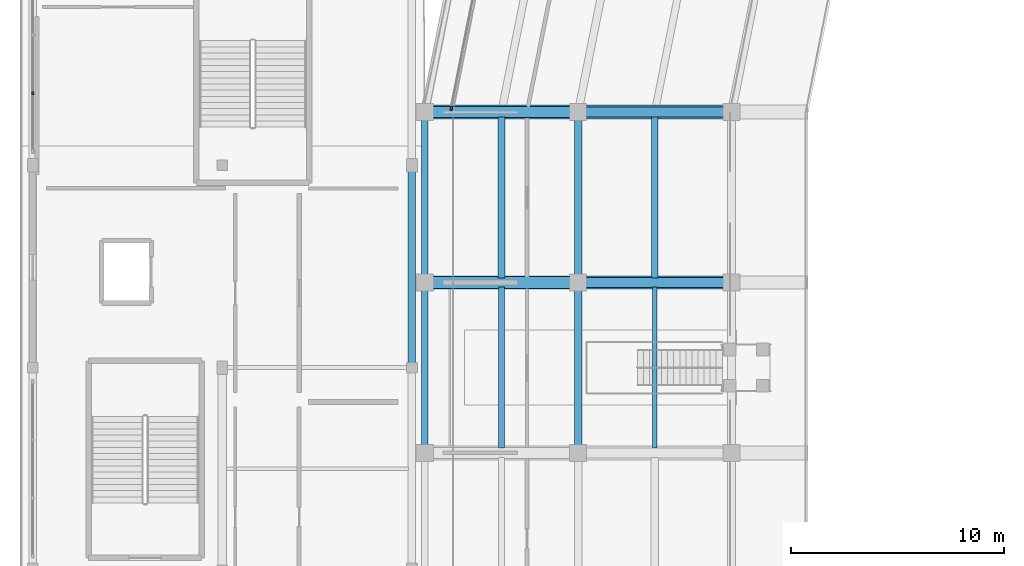
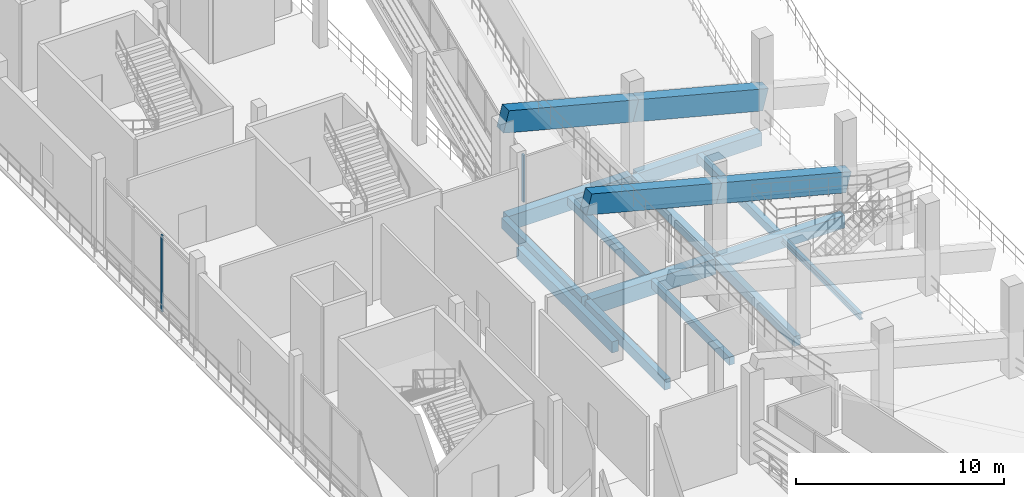
# One storey, part 20 of 96: 17 beams, 2 members, 2 elements without a shape of their own.
"""IFC4 building model written with IfcOpenShell, lengths in metres."""

from ifc_helpers import new_model, si_unit, direction, frame, origin, origin_2d, place, context, subcontext, project, spatial, rectangle, i_section, extrude, material, material_profile, profile_set, type_object, element, aggregate, save


model = new_model("IFC4")

# Units and contexts
model_context = context("Model", 3, precision=1e-05, world=origin(), true_north=direction((0.0, 1.0)))
body_context = subcontext(model_context, "Body", "Model", "MODEL_VIEW")
ifc_project = project(units=[si_unit("LENGTHUNIT", "METRE"), si_unit("AREAUNIT", "SQUARE_METRE"), si_unit("VOLUMEUNIT", "CUBIC_METRE"), si_unit("PLANEANGLEUNIT", "RADIAN"), si_unit("MASSUNIT", "GRAM", prefix="KILO")], contexts=[model_context])

# Site, building, storey
site_placement = place(None, origin())
site = spatial("IfcSite", under=ifc_project, at=site_placement, CompositionType="ELEMENT")
building_placement = place(site_placement, origin())
building = spatial("IfcBuilding", under=site, at=building_placement, Name="Candeia Ridge Stadium", CompositionType="ELEMENT")
storey_placement = place(building_placement, frame((0.0, 0.0, 21.60009765625)))
storey = spatial("IfcBuildingStorey", under=building, at=storey_placement, Name="L04", CompositionType="ELEMENT", Elevation=21.60009765625)

# Beams
ifc_material_1 = material(Name="Concrete C45/55", Category="concrete")
ifc_material_profile_1 = material_profile(ifc_material_1, rectangle(XDim=0.449951171875, YDim=0.75, at=origin_2d()), Name="RC450x750", Category="concrete")
ifc_profile_set_1 = profile_set([ifc_material_profile_1], Name="Concrete C45/55")
beam_type_1 = type_object("IfcBeamType", Name="Bowl Radial Girder RC450x750", PredefinedType="BEAM", material=ifc_profile_set_1)
beam_1_placement = place(storey_placement, frame((33.239990234375, 87.0, -0.635009765625), z_axis=(-1.0, 0.0, 0.0), x_axis=(0.0, -1.0, 0.0)))
element("IfcBeam", 1, at=beam_1_placement, inside=storey, type_object=beam_type_1, Name="Bowl radial girder BM-L04-0745", PredefinedType="BEAM", context=body_context, shape_type="SweptSolid", body=[
    extrude(rectangle(XDim=0.449951171875, YDim=0.75, at=origin_2d()), origin(), (0.0, 0.0, 1.0), 6.8798828125),
])
ifc_material_2 = material(Name="Steel ASTM A572 Grade 50", Category="steel")
ifc_material_profile_2 = material_profile(ifc_material_2, i_section(OverallWidth=0.205078125, OverallDepth=0.35400390625, WebThickness=0.009521484375, FlangeThickness=0.016845703125, FilletRadius=0.014892578125, at=origin_2d()), Name="W360x79", Category="steel")
ifc_profile_set_2 = profile_set([ifc_material_profile_2], Name="Steel ASTM A572 Grade 50")
beam_type_2 = type_object("IfcBeamType", Name="Concourse Secondary Joist W360x79", PredefinedType="JOIST", material=ifc_profile_set_2)
beam_2_placement = place(storey_placement, frame((29.800048828125, 86.778076171875, -0.43701171875), z_axis=(0.0, -1.0, 0.0), x_axis=(1.0, 0.0, 0.0)))
element("IfcBeam", 2, at=beam_2_placement, inside=storey, type_object=beam_type_2, Name="Concourse secondary joist BM-L04-0851", PredefinedType="JOIST", context=body_context, shape_type="SweptSolid", body=[
    extrude(i_section(OverallWidth=0.205078125, OverallDepth=0.35400390625, WebThickness=0.009521484375, FlangeThickness=0.016845703125, FilletRadius=0.014892578125, at=origin_2d()), origin(), (0.0, 0.0, 1.0), 7.55615234375),
])

# Curtain wall, member
ifc_material_3 = material(Name="Aluminium Anodized Warm Bronze", Category="aluminium")
curtain_wall_type_1 = type_object("IfcCurtainWallType", Name="Concourse Recessed Unitised Curtain Wall", PredefinedType="NOTDEFINED", material=ifc_material_3)
curtain_wall_1_placement = place(storey_placement, origin())
curtain_wall_1 = element("IfcCurtainWall", 3, at=curtain_wall_1_placement, inside=storey, type_object=curtain_wall_type_1, Name="Unitised curtain wall CW-BWL-L04-10", PredefinedType="NOTDEFINED")
ifc_material_profile_3 = material_profile(ifc_material_3, rectangle(XDim=0.090087890625, YDim=0.179931640625, at=origin_2d()), Name="CWM-90x180", Category="aluminium")
ifc_profile_set_3 = profile_set([ifc_material_profile_3], Name="Aluminium Anodized Warm Bronze")
member_type_1 = type_object("IfcMemberType", Name="Curtain Wall Primary Mullion 90x180", PredefinedType="MULLION", material=ifc_profile_set_3)
member_1_placement = place(storey_placement, frame((20.235107421875, 95.176513671875, 0.0), z_axis=(0.0, 0.0, 1.0), x_axis=(1.0, 0.0, 0.0)))
member_1 = element("IfcMember", 4, at=member_1_placement, type_object=member_type_1, Name="Curtain wall mullion CW-BWL-L04-10-M7", PredefinedType="MULLION", context=body_context, shape_type="SweptSolid", body=[
    extrude(rectangle(XDim=0.090087890625, YDim=0.179931640625, at=origin_2d()), origin(), (0.0, 0.0, 1.0), 2.772216796875),
])
aggregate(curtain_wall_1, [member_1])

curtain_wall_type_2 = type_object("IfcCurtainWallType", Name="West Pavilion Hospitality Curtain Wall", PredefinedType="NOTDEFINED", material=ifc_material_3)
curtain_wall_2_placement = place(storey_placement, origin())
curtain_wall_2 = element("IfcCurtainWall", 5, at=curtain_wall_2_placement, inside=storey, type_object=curtain_wall_type_2, Name="Unitised curtain wall CW-WNG-L04-096", PredefinedType="NOTDEFINED")
ifc_material_profile_4 = material_profile(ifc_material_3, rectangle(XDim=0.074951171875, YDim=0.14990234375, at=origin_2d()), Name="CWM-75x150", Category="aluminium")
ifc_profile_set_4 = profile_set([ifc_material_profile_4], Name="Aluminium Anodized Warm Bronze")
member_type_2 = type_object("IfcMemberType", Name="Curtain Wall Secondary Mullion 75x150", PredefinedType="MULLION", material=ifc_profile_set_4)
member_2_placement = place(storey_placement, frame((0.60009765625, 95.88671875, 0.0), z_axis=(0.0, 0.0, 1.0), x_axis=(1.0, 0.0, 0.0)))
member_2 = element("IfcMember", 6, at=member_2_placement, type_object=member_type_2, Name="Curtain wall mullion CW-WNG-L04-096-M1", PredefinedType="MULLION", context=body_context, shape_type="SweptSolid", body=[
    extrude(rectangle(XDim=0.074951171875, YDim=0.14990234375, at=origin_2d()), origin(), (0.0, 0.0, 1.0), 4.48486328125),
])
aggregate(curtain_wall_2, [member_2])

# Beams
ifc_material_4 = material(Name="Concrete C40/50", Category="concrete")
ifc_material_profile_5 = material_profile(ifc_material_4, rectangle(XDim=0.280029296875, YDim=0.4599609375, at=origin_2d()), Name="RC280x460", Category="concrete")
ifc_profile_set_5 = profile_set([ifc_material_profile_5], Name="Concrete C40/50")
beam_type_3 = type_object("IfcBeamType", Name="Floor Joist RC280x460", PredefinedType="JOIST", material=ifc_profile_set_5)
beam_3_placement = place(storey_placement, frame((22.60009765625, 86.778076171875, -0.489990234375), z_axis=(0.0, -1.0, 0.0), x_axis=(1.0, 0.0, 0.0)))
element("IfcBeam", 7, at=beam_3_placement, inside=storey, type_object=beam_type_3, Name="Concourse secondary joist BM-L04-0852", PredefinedType="JOIST", context=body_context, shape_type="SweptSolid", body=[
    extrude(rectangle(XDim=0.280029296875, YDim=0.4599609375, at=origin_2d()), origin(), (0.0, 0.0, 1.0), 7.55615234375),
])
ifc_material_profile_6 = material_profile(ifc_material_4, rectangle(XDim=0.31005859375, YDim=0.489990234375, at=origin_2d()), Name="RC310x490", Category="concrete")
ifc_profile_set_6 = profile_set([ifc_material_profile_6], Name="Concrete C40/50")
beam_type_4 = type_object("IfcBeamType", Name="Floor Joist RC310x490", PredefinedType="JOIST", material=ifc_profile_set_6)
beam_4_placement = place(storey_placement, frame((29.800048828125, 94.778076171875, -0.505126953125), z_axis=(0.0, -1.0, 0.0), x_axis=(1.0, 0.0, 0.0)))
element("IfcBeam", 8, at=beam_4_placement, inside=storey, type_object=beam_type_4, Name="Concourse secondary joist BM-L04-0846", PredefinedType="JOIST", context=body_context, shape_type="SweptSolid", body=[
    extrude(rectangle(XDim=0.31005859375, YDim=0.489990234375, at=origin_2d()), origin(), (0.0, 0.0, 1.0), 7.55615234375),
])
ifc_material_profile_7 = material_profile(ifc_material_4, rectangle(XDim=0.320068359375, YDim=0.47998046875, at=origin_2d()), Name="RC320x480", Category="concrete")
ifc_profile_set_7 = profile_set([ifc_material_profile_7], Name="Concrete C40/50")
beam_type_5 = type_object("IfcBeamType", Name="Floor Joist RC320x480", PredefinedType="JOIST", material=ifc_profile_set_7)
beam_5_placement = place(storey_placement, frame((22.60009765625, 94.778076171875, -0.5), z_axis=(0.0, -1.0, 0.0), x_axis=(1.0, 0.0, 0.0)))
element("IfcBeam", 9, at=beam_5_placement, inside=storey, type_object=beam_type_5, Name="Concourse secondary joist BM-L04-0847", PredefinedType="JOIST", context=body_context, shape_type="SweptSolid", body=[
    extrude(rectangle(XDim=0.320068359375, YDim=0.47998046875, at=origin_2d()), origin(), (0.0, 0.0, 1.0), 7.55615234375),
])
ifc_material_profile_8 = material_profile(ifc_material_4, rectangle(XDim=0.360107421875, YDim=0.580078125, at=origin_2d()), Name="RC360x580", Category="concrete")
ifc_profile_set_8 = profile_set([ifc_material_profile_8], Name="Concrete C40/50")
beam_type_6 = type_object("IfcBeamType", Name="Frame Girder RC360x580", PredefinedType="BEAM", material=ifc_profile_set_8)
for number, where, z_axis, x_axis, name in (
    (10, (26.199951171875, 94.840087890625, -0.550048828125), (0.0, -1.0, 0.0), (1.0, 0.0, 0.0), "Concourse spine girder BM-L04-0844"),
    (11, (26.199951171875, 86.840087890625, -0.550048828125), (0.0, -1.0, 0.0), (1.0, 0.0, 0.0), "Concourse spine girder BM-L04-0849"),
):
    element("IfcBeam", number, at=place(storey_placement, frame(where, z_axis=z_axis, x_axis=x_axis)), inside=storey, type_object=beam_type_6, Name=name, PredefinedType="BEAM", context=body_context, shape_type="SweptSolid", body=[
        extrude(rectangle(XDim=0.360107421875, YDim=0.580078125, at=origin_2d()), origin(), (0.0, 0.0, 1.0), 7.68017578125),
    ])
ifc_material_profile_9 = material_profile(ifc_material_4, rectangle(XDim=0.4599609375, YDim=0.780029296875, at=origin_2d()), Name="RC460x780", Category="concrete")
ifc_profile_set_9 = profile_set([ifc_material_profile_9], Name="Concrete C40/50")
beam_type_7 = type_object("IfcBeamType", Name="Frame Girder RC460x780", PredefinedType="BEAM", material=ifc_profile_set_9)
beam_6_placement = place(storey_placement, frame((33.239990234375, 95.0, -0.650146484375), z_axis=(-1.0, 0.0, 0.0), x_axis=(0.0, -1.0, 0.0)))
element("IfcBeam", 12, at=beam_6_placement, inside=storey, type_object=beam_type_7, Name="Bowl radial girder BM-L04-0743", PredefinedType="BEAM", context=body_context, shape_type="SweptSolid", body=[
    extrude(rectangle(XDim=0.4599609375, YDim=0.780029296875, at=origin_2d()), origin(), (0.0, 0.0, 1.0), 6.8798828125),
])
ifc_material_profile_10 = material_profile(ifc_material_1, rectangle(XDim=0.5, YDim=0.85009765625, at=origin_2d()), Name="RC500x850", Category="concrete")
ifc_profile_set_10 = profile_set([ifc_material_profile_10], Name="Concrete C45/55")
beam_type_8 = type_object("IfcBeamType", Name="Frame Girder RC500x850", PredefinedType="BEAM", material=ifc_profile_set_10)
beam_7_placement = place(storey_placement, frame((26.0400390625, 95.0, -0.68505859375), z_axis=(-1.0, 0.0, 0.0), x_axis=(0.0, -1.0, 0.0)))
element("IfcBeam", 13, at=beam_7_placement, inside=storey, type_object=beam_type_8, Name="Bowl radial girder BM-L04-0744", PredefinedType="BEAM", context=body_context, shape_type="SweptSolid", body=[
    extrude(rectangle(XDim=0.5, YDim=0.85009765625, at=origin_2d()), origin(), (0.0, 0.0, 1.0), 6.880126953125),
])
ifc_material_profile_11 = material_profile(ifc_material_1, rectangle(XDim=0.550048828125, YDim=0.919921875, at=origin_2d()), Name="RC550x920", Category="concrete")
ifc_profile_set_11 = profile_set([ifc_material_profile_11], Name="Concrete C45/55")
beam_type_9 = type_object("IfcBeamType", Name="Frame Girder RC550x920", PredefinedType="BEAM", material=ifc_profile_set_11)
beam_8_placement = place(storey_placement, frame((26.0400390625, 87.0, -0.72021484375), z_axis=(-1.0, 0.0, 0.0), x_axis=(0.0, -1.0, 0.0)))
element("IfcBeam", 14, at=beam_8_placement, inside=storey, type_object=beam_type_9, Name="Bowl radial girder BM-L04-0746", PredefinedType="BEAM", context=body_context, shape_type="SweptSolid", body=[
    extrude(rectangle(XDim=0.550048828125, YDim=0.919921875, at=origin_2d()), origin(), (0.0, 0.0, 1.0), 6.880126953125),
])
ifc_material_profile_12 = material_profile(ifc_material_4, rectangle(XDim=0.320068359375, YDim=0.6201171875, at=origin_2d()), Name="RC320x620", Category="concrete")
ifc_profile_set_12 = profile_set([ifc_material_profile_12], Name="Concrete C40/50")
beam_type_10 = type_object("IfcBeamType", Name="Spandrel Beam RC320x620", PredefinedType="SPANDREL", material=ifc_profile_set_12)
for number, where, z_axis, x_axis, name in (
    (15, (19.0, 94.840087890625, -0.570068359375), (0.0, -1.0, 0.0), (1.0, 0.0, 0.0), "Bowl perimeter spandrel BM-L04-0845"),
    (16, (19.0, 86.840087890625, -0.570068359375), (0.0, -1.0, 0.0), (1.0, 0.0, 0.0), "Bowl perimeter spandrel BM-L04-0850"),
):
    element("IfcBeam", number, at=place(storey_placement, frame(where, z_axis=z_axis, x_axis=x_axis)), inside=storey, type_object=beam_type_10, Name=name, PredefinedType="SPANDREL", context=body_context, shape_type="SweptSolid", body=[
        extrude(rectangle(XDim=0.320068359375, YDim=0.6201171875, at=origin_2d()), origin(), (0.0, 0.0, 1.0), 7.68017578125),
    ])
ifc_material_profile_13 = material_profile(ifc_material_4, rectangle(XDim=0.35009765625, YDim=0.64990234375, at=origin_2d()), Name="RC350x650", Category="concrete")
ifc_profile_set_13 = profile_set([ifc_material_profile_13], Name="Concrete C40/50")
beam_type_11 = type_object("IfcBeamType", Name="Spandrel Beam RC350x650", PredefinedType="SPANDREL", material=ifc_profile_set_13)
beam_9_placement = place(storey_placement, frame((18.39990234375, 83.159912109375, -0.585205078125), z_axis=(0.0, 1.0, 0.0), x_axis=(-1.0, 0.0, 0.0)))
element("IfcBeam", 17, at=beam_9_placement, inside=storey, type_object=beam_type_11, Name="Structural girder BM-L04-1305", PredefinedType="SPANDREL", context=body_context, shape_type="SweptSolid", body=[
    extrude(rectangle(XDim=0.35009765625, YDim=0.64990234375, at=origin_2d()), origin(), (0.0, 0.0, 1.0), 9.18017578125),
])
ifc_material_profile_14 = material_profile(ifc_material_1, rectangle(XDim=0.6201171875, YDim=1.179931640625, at=origin_2d()), Name="RC620x1180", Category="concrete")
ifc_profile_set_14 = profile_set([ifc_material_profile_14], Name="Concrete C45/55")
beam_type_12 = type_object("IfcBeamType", Name="Stand Raker Beam RC620x1180", PredefinedType="USERDEFINED", material=ifc_profile_set_14)
beam_10_placement = place(storey_placement, frame((33.39990234375, 87.0, 1.66796875), z_axis=(-0.968083084121, 0.0, 0.250629491956), x_axis=(0.0, -1.0, 0.0)))
element("IfcBeam", 18, at=beam_10_placement, inside=storey, type_object=beam_type_12, Name="Stand T3 inner raker beam 13", ObjectType="RAKER", PredefinedType="USERDEFINED", context=body_context, shape_type="SweptSolid", body=[
    extrude(rectangle(XDim=0.6201171875, YDim=1.179931640625, at=origin_2d()), origin(), (0.0, 0.0, 1.0), 7.437255859375),
])
beam_11_placement = place(storey_placement, frame((26.199951171875, 87.0, 3.531982421875), z_axis=(-0.968067153083, 0.0, 0.250691019229), x_axis=(0.0, -1.0, 0.0)))
element("IfcBeam", 19, at=beam_11_placement, inside=storey, type_object=beam_type_12, Name="Stand T3 outer raker beam 13", ObjectType="RAKER", PredefinedType="USERDEFINED", context=body_context, shape_type="SweptSolid", body=[
    extrude(rectangle(XDim=0.6201171875, YDim=1.179931640625, at=origin_2d()), origin(), (0.0, 0.0, 1.0), 7.4375),
])
ifc_material_profile_15 = material_profile(ifc_material_1, rectangle(XDim=0.64990234375, YDim=1.25, at=origin_2d()), Name="RC650x1250", Category="concrete")
ifc_profile_set_15 = profile_set([ifc_material_profile_15], Name="Concrete C45/55")
beam_type_13 = type_object("IfcBeamType", Name="Stand Raker Beam RC650x1250", PredefinedType="USERDEFINED", material=ifc_profile_set_15)
beam_12_placement = place(storey_placement, frame((33.39990234375, 95.0, 1.66796875), z_axis=(-0.968083084121, 0.0, 0.250629491956), x_axis=(0.0, -1.0, 0.0)))
element("IfcBeam", 20, at=beam_12_placement, inside=storey, type_object=beam_type_13, Name="Stand T3 inner raker beam 12", ObjectType="RAKER", PredefinedType="USERDEFINED", context=body_context, shape_type="SweptSolid", body=[
    extrude(rectangle(XDim=0.64990234375, YDim=1.25, at=origin_2d()), origin(), (0.0, 0.0, 1.0), 7.437255859375),
])
beam_13_placement = place(storey_placement, frame((26.199951171875, 95.0, 3.531982421875), z_axis=(-0.968067153083, 0.0, 0.250691019229), x_axis=(0.0, -1.0, 0.0)))
element("IfcBeam", 21, at=beam_13_placement, inside=storey, type_object=beam_type_13, Name="Stand T3 outer raker beam 12", ObjectType="RAKER", PredefinedType="USERDEFINED", context=body_context, shape_type="SweptSolid", body=[
    extrude(rectangle(XDim=0.64990234375, YDim=1.25, at=origin_2d()), origin(), (0.0, 0.0, 1.0), 7.4375),
])

save(model, "model.ifc")
